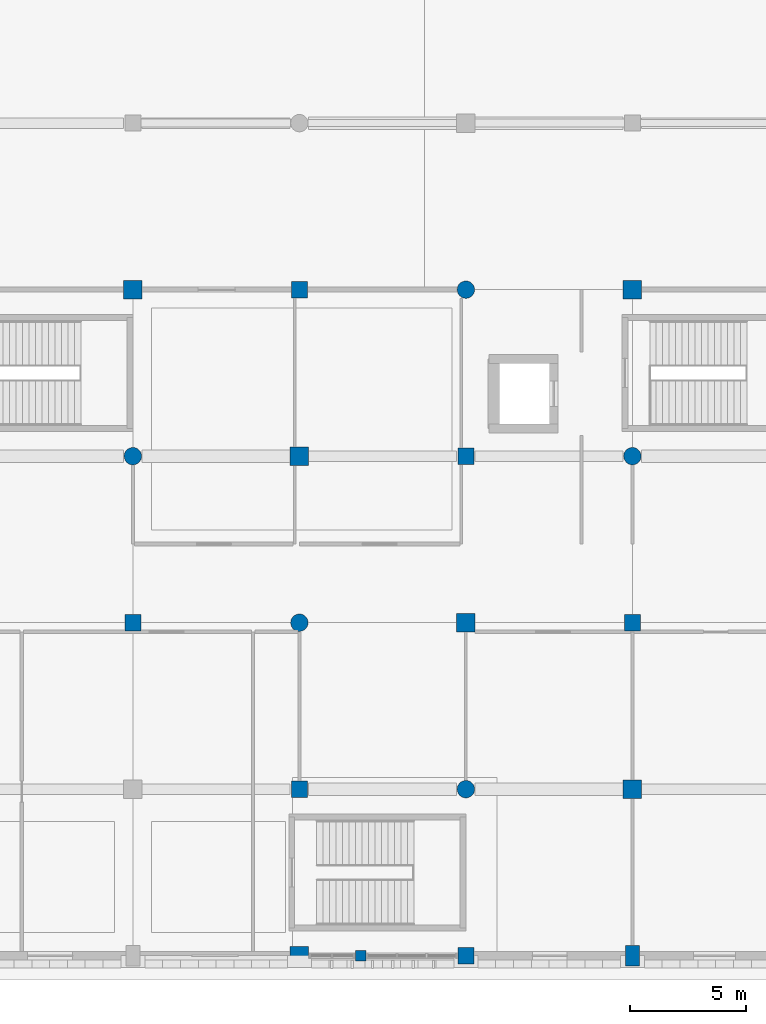
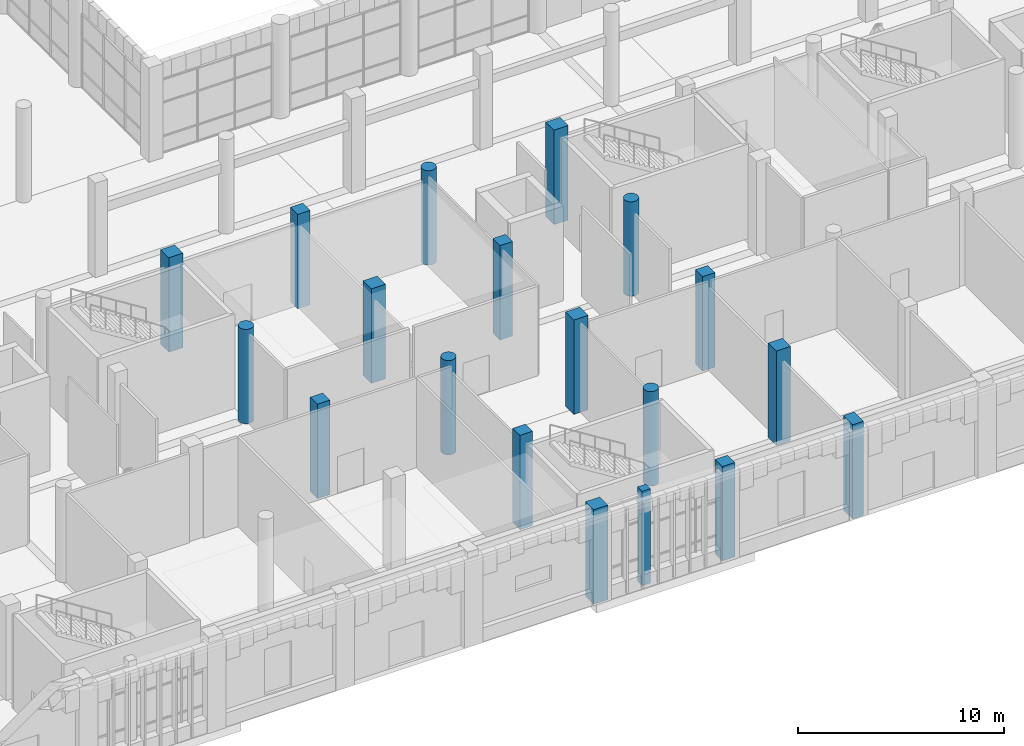
# One storey, part 2 of 85: 19 columns.
"""IFC4 building model written with IfcOpenShell, lengths in metres."""

from ifc_helpers import new_model, si_unit, direction, frame, origin, origin_2d, place, context, subcontext, project, spatial, rectangle, circle, extrude, material, material_profile, profile_set, type_object, element, save


model = new_model("IFC4")

# Units and contexts
model_context = context("Model", 3, precision=1e-05, world=origin(), true_north=direction((0.0, 1.0)))
body_context = subcontext(model_context, "Body", "Model", "MODEL_VIEW")
ifc_project = project(units=[si_unit("LENGTHUNIT", "METRE"), si_unit("AREAUNIT", "SQUARE_METRE"), si_unit("VOLUMEUNIT", "CUBIC_METRE"), si_unit("PLANEANGLEUNIT", "RADIAN"), si_unit("MASSUNIT", "GRAM", prefix="KILO")], contexts=[model_context])

# Site, building, storey
site_placement = place(None, origin())
site = spatial("IfcSite", under=ifc_project, at=site_placement, CompositionType="ELEMENT")
building_placement = place(site_placement, origin())
building = spatial("IfcBuilding", under=site, at=building_placement, Name="Sardonyx Promenade Sports Hall", CompositionType="ELEMENT")
storey_placement = place(building_placement, origin())
storey = spatial("IfcBuildingStorey", under=building, at=storey_placement, Name="L00", CompositionType="ELEMENT", Elevation=0.0)

# Columns
ifc_material_1 = material(Name="Concrete C40/50", Category="concrete")
ifc_material_profile_1 = material_profile(ifc_material_1, rectangle(XDim=0.449951171875, YDim=0.449951171875, at=origin_2d()))
ifc_profile_set_1 = profile_set([ifc_material_profile_1], Name="Concrete C40/50")
column_type_1 = type_object("IfcColumnType", Name="Col_Ext_RC450", PredefinedType="PILASTER", material=ifc_profile_set_1)
column_1_placement = place(storey_placement, frame((45.85009765625, 0.0, 0.0), z_axis=(0.0, 0.0, 1.0), x_axis=(1.0, 0.0, 0.0)))
element("IfcColumn", 1, at=column_1_placement, inside=storey, type_object=column_type_1, Name="Sandstone facade pilaster #2", PredefinedType="PILASTER", context=body_context, shape_type="SweptSolid", body=[
    extrude(rectangle(XDim=0.449951171875, YDim=0.449951171875, at=origin_2d()), origin(), (0.0, 0.0, 1.0), 5.60009765625),
])
ifc_material_2 = material(Name="Concrete C40/50", Category="concrete")
ifc_material_profile_2 = material_profile(ifc_material_2, rectangle(XDim=0.60009765625, YDim=0.89990234375, at=origin_2d()))
ifc_profile_set_2 = profile_set([ifc_material_profile_2], Name="Concrete C40/50")
column_type_2 = type_object("IfcColumnType", Name="Col_Ext_RC600x900", PredefinedType="COLUMN", material=ifc_profile_set_2)
column_2_placement = place(storey_placement, frame((57.60009765625, 0.0, 0.0), z_axis=(0.0, 0.0, 1.0), x_axis=(1.0, 0.0, 0.0)))
element("IfcColumn", 2, at=column_2_placement, inside=storey, type_object=column_type_2, Name="Column CE12 L00 (57.6,0.0)", PredefinedType="COLUMN", context=body_context, shape_type="SweptSolid", body=[
    extrude(rectangle(XDim=0.60009765625, YDim=0.89990234375, at=origin_2d()), origin(), (0.0, 0.0, 1.0), 5.60009765625),
])
ifc_material_3 = material(Name="Concrete C40/50", Category="concrete")
ifc_material_profile_3 = material_profile(ifc_material_3, rectangle(XDim=0.699951171875, YDim=0.699951171875, at=origin_2d()))
ifc_profile_set_3 = profile_set([ifc_material_profile_3], Name="Concrete C40/50")
column_type_3 = type_object("IfcColumnType", Name="Col_Ext_RC700", PredefinedType="COLUMN", material=ifc_profile_set_3)
column_3_placement = place(storey_placement, frame((50.39990234375, 0.0, 0.0), z_axis=(0.0, 0.0, 1.0), x_axis=(1.0, 0.0, 0.0)))
element("IfcColumn", 3, at=column_3_placement, inside=storey, type_object=column_type_3, Name="Column CE05 L00 (50.4,0.0)", PredefinedType="COLUMN", context=body_context, shape_type="SweptSolid", body=[
    extrude(rectangle(XDim=0.699951171875, YDim=0.699951171875, at=origin_2d()), origin(), (0.0, 0.0, 1.0), 5.60009765625),
])
ifc_material_4 = material(Name="Concrete C50/60", Category="concrete")
ifc_material_profile_4 = material_profile(ifc_material_4, rectangle(XDim=0.800048828125, YDim=0.800048828125, at=origin_2d()))
ifc_profile_set_4 = profile_set([ifc_material_profile_4], Name="Concrete C50/60")
column_type_4 = type_object("IfcColumnType", Name="Col_Ext_RC800", PredefinedType="COLUMN", material=ifc_profile_set_4)
column_4_placement = place(storey_placement, frame((43.199951171875, 0.0, 0.0), z_axis=(0.0, 0.0, 1.0), x_axis=(1.0, 0.0, 0.0)))
element("IfcColumn", 4, at=column_4_placement, inside=storey, type_object=column_type_4, Name="Column CE13 L00 (43.2,0.0)", PredefinedType="COLUMN", context=body_context, shape_type="SweptSolid", body=[
    extrude(rectangle(XDim=0.800048828125, YDim=0.800048828125, at=origin_2d()), origin(), (0.0, 0.0, 1.0), 5.60009765625),
])
ifc_material_5 = material(Name="Concrete C50/60", Category="concrete")
ifc_material_profile_5 = material_profile(ifc_material_5, rectangle(XDim=0.699951171875, YDim=0.699951171875, at=origin_2d()))
ifc_profile_set_5 = profile_set([ifc_material_profile_5], Name="Concrete C50/60")
column_type_5 = type_object("IfcColumnType", Name="Col_Int_RC700", PredefinedType="COLUMN", material=ifc_profile_set_5)
for number, where, z_axis, x_axis, name in (
    (5, (36.0, 14.39990234375, 0.0), (0.0, 0.0, 1.0), (1.0, 0.0, 0.0), "Column CI03 L00 (36.0,14.4)"),
    (6, (43.199951171875, 7.199951171875, 0.0), (0.0, 0.0, 1.0), (1.0, 0.0, 0.0), "Column CI03 L00 (43.2,7.2)"),
    (7, (43.199951171875, 28.800048828125, 0.0), (0.0, 0.0, 1.0), (1.0, 0.0, 0.0), "Column CI03 L00 (43.2,28.8)"),
    (8, (50.39990234375, 21.60009765625, 0.0), (0.0, 0.0, 1.0), (1.0, 0.0, 0.0), "Column CI03 L00 (50.4,21.6)"),
    (9, (57.60009765625, 14.39990234375, 0.0), (0.0, 0.0, 1.0), (1.0, 0.0, 0.0), "Column CI03 L00 (57.6,14.4)"),
):
    element("IfcColumn", number, at=place(storey_placement, frame(where, z_axis=z_axis, x_axis=x_axis)), inside=storey, type_object=column_type_5, Name=name, PredefinedType="COLUMN", context=body_context, shape_type="SweptSolid", body=[
        extrude(rectangle(XDim=0.699951171875, YDim=0.699951171875, at=origin_2d()), origin(), (0.0, 0.0, 1.0), 5.60009765625),
    ])
ifc_material_6 = material(Name="Concrete C50/60", Category="concrete")
ifc_material_profile_6 = material_profile(ifc_material_6, rectangle(XDim=0.800048828125, YDim=0.800048828125, at=origin_2d()))
ifc_profile_set_6 = profile_set([ifc_material_profile_6], Name="Concrete C50/60")
column_type_6 = type_object("IfcColumnType", Name="Col_Int_RC800", PredefinedType="COLUMN", material=ifc_profile_set_6)
for number, where, z_axis, x_axis, name in (
    (10, (36.0, 28.800048828125, 0.0), (0.0, 0.0, 1.0), (1.0, 0.0, 0.0), "Column CI01 L00 (36.0,28.8)"),
    (11, (43.199951171875, 21.60009765625, 0.0), (0.0, 0.0, 1.0), (1.0, 0.0, 0.0), "Column CI01 L00 (43.2,21.6)"),
    (12, (50.39990234375, 14.39990234375, 0.0), (0.0, 0.0, 1.0), (1.0, 0.0, 0.0), "Column CI01 L00 (50.4,14.4)"),
    (13, (57.60009765625, 7.199951171875, 0.0), (0.0, 0.0, 1.0), (1.0, 0.0, 0.0), "Column CI01 L00 (57.6,7.2)"),
    (14, (57.60009765625, 28.800048828125, 0.0), (0.0, 0.0, 1.0), (1.0, 0.0, 0.0), "Column CI01 L00 (57.6,28.8)"),
):
    element("IfcColumn", number, at=place(storey_placement, frame(where, z_axis=z_axis, x_axis=x_axis)), inside=storey, type_object=column_type_6, Name=name, PredefinedType="COLUMN", context=body_context, shape_type="SweptSolid", body=[
        extrude(rectangle(XDim=0.800048828125, YDim=0.800048828125, at=origin_2d()), origin(), (0.0, 0.0, 1.0), 5.60009765625),
    ])
ifc_material_7 = material(Name="Concrete C50/60", Category="concrete")
ifc_material_profile_7 = material_profile(ifc_material_7, circle(Radius=0.375, at=origin_2d()))
ifc_profile_set_7 = profile_set([ifc_material_profile_7], Name="Concrete C50/60")
column_type_7 = type_object("IfcColumnType", Name="Col_Int_RCD750", PredefinedType="COLUMN", material=ifc_profile_set_7)
for number, where, z_axis, x_axis, name in (
    (15, (36.0, 21.60009765625, 0.0), (0.0, 0.0, 1.0), (1.0, 0.0, 0.0), "Column CI07 L00 (36.0,21.6)"),
    (16, (43.199951171875, 14.39990234375, 0.0), (0.0, 0.0, 1.0), (1.0, 0.0, 0.0), "Column CI07 L00 (43.2,14.4)"),
    (17, (50.39990234375, 7.199951171875, 0.0), (0.0, 0.0, 1.0), (1.0, 0.0, 0.0), "Column CI07 L00 (50.4,7.2)"),
    (18, (50.39990234375, 28.800048828125, 0.0), (0.0, 0.0, 1.0), (1.0, 0.0, 0.0), "Column CI07 L00 (50.4,28.8)"),
    (19, (57.60009765625, 21.60009765625, 0.0), (0.0, 0.0, 1.0), (1.0, 0.0, 0.0), "Column CI07 L00 (57.6,21.6)"),
):
    element("IfcColumn", number, at=place(storey_placement, frame(where, z_axis=z_axis, x_axis=x_axis)), inside=storey, type_object=column_type_7, Name=name, PredefinedType="COLUMN", context=body_context, shape_type="SweptSolid", body=[
        extrude(circle(Radius=0.375, at=origin_2d()), origin(), (0.0, 0.0, 1.0), 5.60009765625),
    ])

save(model, "model.ifc")
